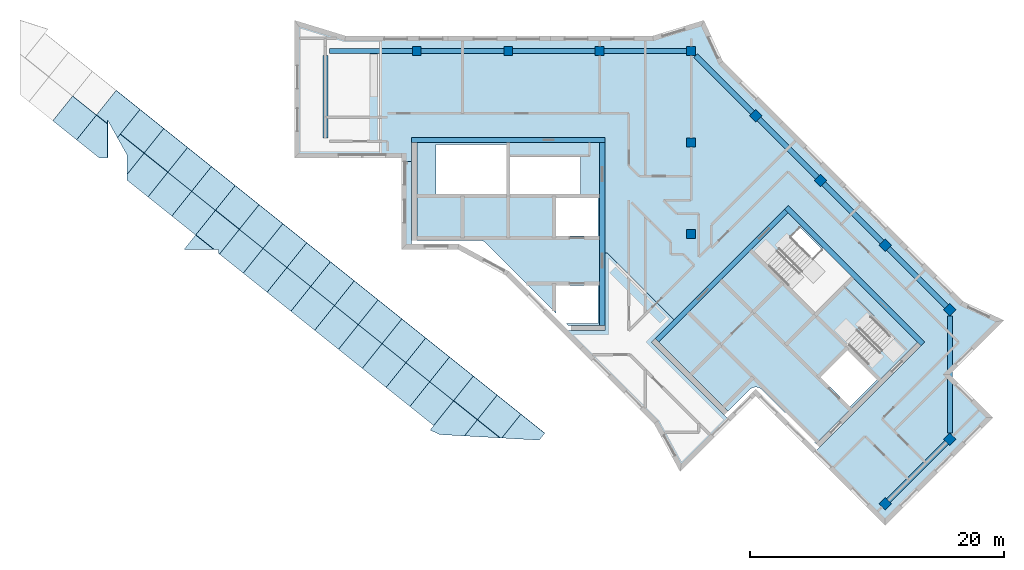
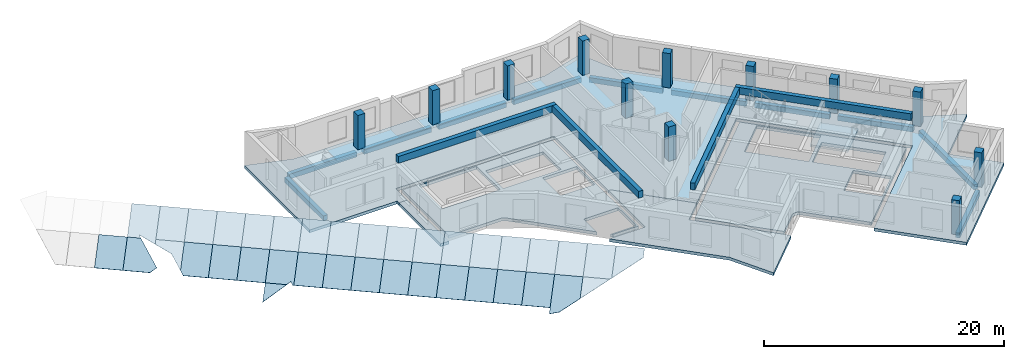
# One storey, part 1 of 8: 37 plates, 15 beams, 12 columns, 6 slabs, 6 openings, 1 element without a shape of its own.
"""IFC4 building model written with IfcOpenShell, lengths in metres."""

from ifc_helpers import new_model, si_unit, direction, frame, origin, origin_2d, place, context, subcontext, project, spatial, polyline, rectangle, outline, extrude, material, layer, layer_set, material_profile, profile_set, type_object, element, aggregate, save


model = new_model("IFC4")

# Units and contexts
model_context = context("Model", 3, precision=1e-05, world=origin(), true_north=direction((0.0, 1.0)))
body_context = subcontext(model_context, "Body", "Model", "MODEL_VIEW")
ifc_project = project(units=[si_unit("LENGTHUNIT", "METRE"), si_unit("AREAUNIT", "SQUARE_METRE"), si_unit("VOLUMEUNIT", "CUBIC_METRE"), si_unit("PLANEANGLEUNIT", "RADIAN"), si_unit("MASSUNIT", "GRAM", prefix="KILO")], contexts=[model_context])

# Site, building, storey
site_placement = place(None, origin())
site = spatial("IfcSite", under=ifc_project, at=site_placement, CompositionType="ELEMENT")
building_placement = place(site_placement, origin())
building = spatial("IfcBuilding", under=site, at=building_placement, Name="Windrow Commons", CompositionType="ELEMENT")
storey_placement = place(building_placement, frame((0.0, 0.0, 298.2)))
storey = spatial("IfcBuildingStorey", under=building, at=storey_placement, Name="L81", CompositionType="ELEMENT", Elevation=298.2)

# Columns
ifc_material_1 = material(Name="Concrete C40/50", Category="concrete")
ifc_material_profile_1 = material_profile(ifc_material_1, rectangle(XDim=0.7, YDim=0.7, at=origin_2d()))
ifc_profile_set_1 = profile_set([ifc_material_profile_1], Name="Concrete C40/50")
column_type = type_object("IfcColumnType", Name="RC COLUMN 700x700 C40/50", PredefinedType="COLUMN", material=ifc_profile_set_1)
for number, where, z_axis, x_axis, name in (
    (1, (57.6, 72.0, 0.0), (0.0, 0.0, 1.0), (1.0, 0.0, 0.0), "C-C-09J"),
    (2, (64.8, 72.0, 0.0), (0.0, 0.0, 1.0), (1.0, 0.0, 0.0), "C-C-10J"),
    (3, (72.0, 72.0, 0.0), (0.0, 0.0, 1.0), (1.0, 0.0, 0.0), "C-C-11J"),
    (4, (79.2, 57.6, 0.0), (0.0, 0.0, 1.0), (1.0, 0.0, 0.0), "C-C-12H"),
    (5, (79.2, 64.8, 0.0), (0.0, 0.0, 1.0), (1.0, 0.0, 0.0), "C-C-12I"),
    (6, (79.2, 72.0, 0.0), (0.0, 0.0, 1.0), (1.0, 0.0, 0.0), "C-C-12J"),
    (7, (84.2912, 66.9088, 0.0), (0.0, 0.0, 1.0), (0.7071067812, -0.7071067812, 0.0), "C-C-P2Q"),
    (8, (89.3823, 61.8177, 0.0), (0.0, 0.0, 1.0), (0.7071067812, -0.7071067812, 0.0), "C-C-P3Q"),
    (9, (94.4735, 56.7265, 0.0), (0.0, 0.0, 1.0), (0.7071067812, -0.7071067812, 0.0), "C-C-P4Q"),
    (10, (99.5647, 51.6353, 0.0), (0.0, 0.0, 1.0), (0.7071067812, -0.7071067812, 0.0), "C-C-P5Q"),
    (11, (99.5647, 41.453, 0.0), (0.0, 0.0, 1.0), (0.7071067812, -0.7071067812, 0.0), "C-C-P6R"),
    (12, (94.4735, 36.3618, 0.0), (0.0, 0.0, 1.0), (0.7071067812, -0.7071067812, 0.0), "C-C-P6S"),
):
    element("IfcColumn", number, at=place(storey_placement, frame(where, z_axis=z_axis, x_axis=x_axis)), inside=storey, type_object=column_type, Name=name, PredefinedType="COLUMN", context=body_context, shape_type="SweptSolid", body=[
        extrude(rectangle(XDim=0.7, YDim=0.7, at=origin_2d()), origin(), (0.0, 0.0, 1.0), 3.5),
    ])

# Beams
ifc_material_2 = material(Name="Concrete C40/50", Category="concrete")
ifc_material_profile_2 = material_profile(ifc_material_2, rectangle(XDim=0.4, YDim=0.7, at=origin_2d()))
ifc_profile_set_2 = profile_set([ifc_material_profile_2], Name="Concrete C40/50")
beam_type_1 = type_object("IfcBeamType", Name="RC COUPLING BEAM 400x700 C40/50", PredefinedType="LINTEL", material=ifc_profile_set_2)
beam_1_placement = place(storey_placement, frame((57.2, 65.0, 3.15), z_axis=(1.0, 0.0, 0.0), x_axis=(0.0, 1.0, 0.0)))
element("IfcBeam", 13, at=beam_1_placement, inside=storey, type_object=beam_type_1, Name="Core A coupling beam outer-N", PredefinedType="LINTEL", context=body_context, shape_type="SweptSolid", body=[
    extrude(rectangle(XDim=0.4, YDim=0.7, at=origin_2d()), origin(), (0.0, 0.0, 1.0), 15.2),
])
beam_2_placement = place(storey_placement, frame((72.2, 50.4, 3.15), z_axis=(0.0, 1.0, 0.0), x_axis=(-1.0, 0.0, 0.0)))
element("IfcBeam", 14, at=beam_2_placement, inside=storey, type_object=beam_type_1, Name="Core A coupling beam outer-E", PredefinedType="LINTEL", context=body_context, shape_type="SweptSolid", body=[
    extrude(rectangle(XDim=0.4, YDim=0.7, at=origin_2d()), origin(), (0.0, 0.0, 1.0), 14.4),
])
beam_3_placement = place(storey_placement, frame((86.6953, 59.6963, 3.15), z_axis=(0.7071100706, -0.7071034917, 0.0), x_axis=(0.7071034917, 0.7071100706, 0.0)))
element("IfcBeam", 15, at=beam_3_placement, inside=storey, type_object=beam_type_1, Name="Core B coupling beam outer-N", PredefinedType="LINTEL", context=body_context, shape_type="SweptSolid", body=[
    extrude(rectangle(XDim=0.4, YDim=0.7, at=origin_2d()), origin(), (0.0, 0.0, 1.0), 15.2),
])
beam_4_placement = place(storey_placement, frame((76.513, 49.2312, 3.15), z_axis=(0.7071067812, 0.7071067812, 0.0), x_axis=(-0.7071067812, 0.7071067812, 0.0)))
element("IfcBeam", 16, at=beam_4_placement, inside=storey, type_object=beam_type_1, Name="Core B coupling beam outer-W", PredefinedType="LINTEL", context=body_context, shape_type="SweptSolid", body=[
    extrude(rectangle(XDim=0.4, YDim=0.7, at=origin_2d()), origin(), (0.0, 0.0, 1.0), 14.3999),
])
ifc_material_3 = material(Name="Concrete C40/50", Category="concrete")
ifc_material_profile_3 = material_profile(ifc_material_3, rectangle(XDim=0.4, YDim=0.5, at=origin_2d()))
ifc_profile_set_3 = profile_set([ifc_material_profile_3], Name="Concrete C40/50")
beam_type_2 = type_object("IfcBeamType", Name="RC EDGE BEAM 400x500 C40/50", PredefinedType="SPANDREL", material=ifc_profile_set_3)
for number, where, z_axis, x_axis, name in (
    (17, (50.4, 65.15, -0.55), (0.0, 1.0, 0.0), (-1.0, 0.0, 0.0), "Edge beam L81 001"),
    (18, (50.75, 72.0, -0.55), (1.0, 0.0, 0.0), (0.0, 1.0, 0.0), "Edge beam L81 002"),
    (19, (57.95, 72.0, -0.55), (1.0, 0.0, 0.0), (0.0, 1.0, 0.0), "Edge beam L81 003"),
    (20, (65.15, 72.0, -0.55), (1.0, 0.0, 0.0), (0.0, 1.0, 0.0), "Edge beam L81 004"),
    (21, (72.35, 72.0, -0.55), (1.0, 0.0, 0.0), (0.0, 1.0, 0.0), "Edge beam L81 005"),
):
    element("IfcBeam", number, at=place(storey_placement, frame(where, z_axis=z_axis, x_axis=x_axis)), inside=storey, type_object=beam_type_2, Name=name, PredefinedType="SPANDREL", context=body_context, shape_type="SweptSolid", body=[
        extrude(rectangle(XDim=0.4, YDim=0.5, at=origin_2d()), origin(), (0.0, 0.0, 1.0), 6.5),
    ])
beam_5_placement = place(storey_placement, frame((79.55, 71.65, -0.55), z_axis=(0.7071067812, -0.7071067812, 0.0), x_axis=(0.7071067812, 0.7071067812, 0.0)))
element("IfcBeam", 22, at=beam_5_placement, inside=storey, type_object=beam_type_2, Name="Edge beam L81 006", PredefinedType="SPANDREL", context=body_context, shape_type="SweptSolid", body=[
    extrude(rectangle(XDim=0.4, YDim=0.5, at=origin_2d()), origin(), (0.0, 0.0, 1.0), 6.3551),
])
beam_6_placement = place(storey_placement, frame((84.5387, 66.6613, -0.55), z_axis=(0.7071067812, -0.7071067812, 0.0), x_axis=(0.7071067812, 0.7071067812, 0.0)))
element("IfcBeam", 23, at=beam_6_placement, inside=storey, type_object=beam_type_2, Name="Edge beam L81 007", PredefinedType="SPANDREL", context=body_context, shape_type="SweptSolid", body=[
    extrude(rectangle(XDim=0.4, YDim=0.5, at=origin_2d()), origin(), (0.0, 0.0, 1.0), 6.4999),
])
for number, where, z_axis, x_axis, name in (
    (24, (89.6298, 61.5702, -0.55), (0.7071067812, -0.7071067812, 0.0), (0.7071067812, 0.7071067812, 0.0), "Edge beam L81 008"),
    (25, (94.721, 56.479, -0.55), (0.7071067812, -0.7071067812, 0.0), (0.7071067812, 0.7071067812, 0.0), "Edge beam L81 009"),
):
    element("IfcBeam", number, at=place(storey_placement, frame(where, z_axis=z_axis, x_axis=x_axis)), inside=storey, type_object=beam_type_2, Name=name, PredefinedType="SPANDREL", context=body_context, shape_type="SweptSolid", body=[
        extrude(rectangle(XDim=0.4, YDim=0.5, at=origin_2d()), origin(), (0.0, 0.0, 1.0), 6.5),
    ])
beam_7_placement = place(storey_placement, frame((99.5647, 51.1403, -0.55), z_axis=(0.0, -1.0, 0.0), x_axis=(1.0, 0.0, 0.0)))
element("IfcBeam", 26, at=beam_7_placement, inside=storey, type_object=beam_type_2, Name="Edge beam L81 010", PredefinedType="SPANDREL", context=body_context, shape_type="SweptSolid", body=[
    extrude(rectangle(XDim=0.4, YDim=0.5, at=origin_2d()), origin(), (0.0, 0.0, 1.0), 9.1923),
])
beam_8_placement = place(storey_placement, frame((99.3172, 41.2055, -0.55), z_axis=(-0.7071067812, -0.7071067812, 0.0), x_axis=(0.7071067812, -0.7071067812, 0.0)))
element("IfcBeam", 27, at=beam_8_placement, inside=storey, type_object=beam_type_2, Name="Edge beam L81 011", PredefinedType="SPANDREL", context=body_context, shape_type="SweptSolid", body=[
    extrude(rectangle(XDim=0.4, YDim=0.5, at=origin_2d()), origin(), (0.0, 0.0, 1.0), 6.5),
])

# Slab, openings
ifc_material_4 = material(Name="Concrete C40/50", Category="concrete")
ifc_layer_1 = layer(ifc_material_4, 0.3)
ifc_layer_set_1 = layer_set([ifc_layer_1], Name="CORE FLOOR SLAB 300 C40/50")
slab_type_1 = type_object("IfcSlabType", Name="CORE FLOOR SLAB 300 C40/50", PredefinedType="FLOOR", material=ifc_layer_set_1)
placement = place(storey_placement, frame((0.0, 0.0, -0.3)))
slab_1 = element("IfcSlab", 28, at=placement, inside=storey, type_object=slab_type_1, Name="S-L81-core-A", PredefinedType="FLOOR", context=body_context, shape_type="SweptSolid", body=[
    extrude(outline(polyline([(57.6, 64.8), (72.0, 64.8), (72.0, 50.4), (69.5458, 50.4), (69.3958, 50.55), (71.85, 50.55), (71.85, 53.55), (68.55, 53.55), (68.55, 51.3958), (63.0509, 56.895), (63.0, 56.9411), (62.9448, 56.982), (62.8859, 57.0173), (62.8238, 57.0467), (62.7591, 57.0699), (62.6925, 57.0865), (62.6245, 57.0966), (62.5559, 57.1), (57.6, 57.1), (57.6, 64.8)]), holes=[polyline([(71.85, 57.45), (71.85, 60.45), (68.55, 60.45), (68.55, 57.45), (71.85, 57.45)]), polyline([(64.65, 60.75), (64.65, 64.65), (59.1, 64.65), (59.1, 60.75), (64.65, 60.75)]), polyline([(70.5, 60.75), (70.5, 63.705), (64.95, 63.705), (64.95, 60.75), (70.5, 60.75)])]), origin(), (0.0, 0.0, 1.0), 0.3),
])
opening_1_placement = place(placement, origin())
element("IfcOpeningElement", 29, at=opening_1_placement, cuts=slab_1, Name="Slab opening S-L81-core-A 1", PredefinedType="OPENING", context=body_context, shape_type="SweptSolid", body=[
    extrude(outline(polyline([(71.845, 57.455), (68.555, 57.455), (68.555, 60.445), (71.845, 60.445), (71.845, 57.455)])), origin(), (0.0, 0.0, 1.0), 0.3),
])
opening_2_placement = place(placement, origin())
element("IfcOpeningElement", 30, at=opening_2_placement, cuts=slab_1, Name="Slab opening S-L81-core-A 2", PredefinedType="OPENING", context=body_context, shape_type="SweptSolid", body=[
    extrude(outline(polyline([(64.645, 60.755), (59.105, 60.755), (59.105, 64.645), (64.645, 64.645), (64.645, 60.755)])), origin(), (0.0, 0.0, 1.0), 0.3),
])
opening_3_placement = place(placement, origin())
element("IfcOpeningElement", 31, at=opening_3_placement, cuts=slab_1, Name="Slab opening S-L81-core-A 3", PredefinedType="OPENING", context=body_context, shape_type="SweptSolid", body=[
    extrude(outline(polyline([(70.495, 60.755), (64.955, 60.755), (64.955, 63.7), (70.495, 63.7), (70.495, 60.755)])), origin(), (0.0, 0.0, 1.0), 0.3),
])

slab_2 = element("IfcSlab", 32, at=placement, inside=storey, type_object=slab_type_1, Name="S-L81-core-B", PredefinedType="FLOOR", context=body_context, shape_type="SweptSolid", body=[
    extrude(outline(polyline([(76.6544, 49.0897), (86.8368, 59.2721), (97.0191, 49.0897), (89.0288, 41.0994), (88.9227, 41.2055), (88.9581, 41.2409), (86.6246, 43.5743), (86.5893, 43.539), (84.7862, 45.3421), (84.7353, 45.3882), (84.6801, 45.4291), (84.6212, 45.4644), (84.5591, 45.4938), (84.4944, 45.517), (84.4278, 45.5336), (84.3598, 45.5437), (84.2912, 45.5471), (84.2226, 45.5437), (84.1546, 45.5336), (84.088, 45.517), (84.0233, 45.4938), (83.9612, 45.4644), (83.9023, 45.4291), (83.8471, 45.3882), (83.7962, 45.3421), (82.0992, 43.645), (76.6544, 49.0897)]), holes=[polyline([(91.7158, 43.9986), (93.8371, 46.1199), (91.5037, 48.4533), (89.3823, 46.332), (91.7158, 43.9986)]), polyline([(88.9581, 51.4232), (91.7158, 54.1809), (87.7913, 58.1054), (85.0336, 55.3476), (88.9581, 51.4232)]), polyline([(93.0946, 47.2866), (95.1841, 49.3761), (91.2597, 53.3006), (89.1702, 51.2111), (93.0946, 47.2866)])]), origin(), (0.0, 0.0, 1.0), 0.3),
])
opening_4_placement = place(placement, origin())
element("IfcOpeningElement", 33, at=opening_4_placement, cuts=slab_2, Name="Slab opening S-L81-core-B 1", PredefinedType="OPENING", context=body_context, shape_type="SweptSolid", body=[
    extrude(outline(polyline([(91.7158, 44.0057), (89.3894, 46.332), (91.5037, 48.4462), (93.83, 46.1199), (91.7158, 44.0057)])), origin(), (0.0, 0.0, 1.0), 0.3),
])
opening_5_placement = place(placement, origin())
element("IfcOpeningElement", 34, at=opening_5_placement, cuts=slab_2, Name="Slab opening S-L81-core-B 2", PredefinedType="OPENING", context=body_context, shape_type="SweptSolid", body=[
    extrude(outline(polyline([(88.9581, 51.4303), (85.0407, 55.3476), (87.7913, 58.0983), (91.7087, 54.1809), (88.9581, 51.4303)])), origin(), (0.0, 0.0, 1.0), 0.3),
])
opening_6_placement = place(placement, origin())
element("IfcOpeningElement", 35, at=opening_6_placement, cuts=slab_2, Name="Slab opening S-L81-core-B 3", PredefinedType="OPENING", context=body_context, shape_type="SweptSolid", body=[
    extrude(outline(polyline([(93.0946, 47.2937), (89.1773, 51.2111), (91.2597, 53.2935), (95.177, 49.3761), (93.0946, 47.2937)])), origin(), (0.0, 0.0, 1.0), 0.3),
])

# Stair, slab
ifc_material_5 = material(Name="Concrete C40/50", Category="concrete")
stair_type = type_object("IfcStairType", Name="Core stair", PredefinedType="HALF_TURN_STAIR", material=ifc_material_5)
stair_placement = place(storey_placement, origin())
stair = element("IfcStair", 36, at=stair_placement, inside=storey, type_object=stair_type, Name="L81 Exit stair B2 core B", PredefinedType="HALF_TURN_STAIR")
ifc_material_6 = material(Name="Concrete C40/50", Category="concrete")
ifc_layer_2 = layer(ifc_material_6, 0.2)
ifc_layer_set_2 = layer_set([ifc_layer_2], Name="Core stair landing")
slab_type_2 = type_object("IfcSlabType", Name="Core stair landing", PredefinedType="LANDING", material=ifc_layer_set_2)
slab_3_placement = place(storey_placement, frame((0.0, 0.0, 1.7)))
slab_3 = element("IfcSlab", 37, at=slab_3_placement, type_object=slab_type_2, Name="ST-B2 landing 1", PredefinedType="LANDING", context=body_context, shape_type="SweptSolid", body=[
    extrude(outline(polyline([(88.8874, 51.1403), (91.2208, 48.8069), (93.5931, 51.1792), (91.2597, 53.5127), (88.8874, 51.1403)])), origin(), (0.0, 0.0, 1.0), 0.2),
])
aggregate(stair, [slab_3])

# Plates
ifc_material_7 = material(Name="Laminated glass in aluminium frame", Category="aluminium")
ifc_layer_3 = layer(ifc_material_7, 0.04)
ifc_layer_set_3 = layer_set([ifc_layer_3], Name="Crown glazing panel 2400x3000")
plate_type = type_object("IfcPlateType", Name="Crown glazing panel 2400x3000", PredefinedType="SHEET", material=ifc_layer_set_3)
plate_1_placement = place(storey_placement, frame((39.2998, 56.4, 0.0602), z_axis=(-0.3493138372, -0.4366267493, 0.8290578538), x_axis=(0.5179013077, 0.6473910416, 0.5591628339)))
element("IfcPlate", 38, at=plate_1_placement, inside=storey, type_object=plate_type, Name="Crown glazing 16", PredefinedType="SHEET", context=body_context, shape_type="SweptSolid", body=[
    extrude(outline(polyline([(0.0, 0.0), (1.7353, 0.0), (1.7352, -1.7983), (0.0, 0.0)])), origin(), (0.0, 0.0, -1.0), 0.04),
])
plate_2_placement = place(storey_placement, frame((61.354, 41.7071, 1.6142), z_axis=(-0.3493194361, -0.4366615761, 0.8290371521), x_axis=(0.5178891691, 0.6473742411, 0.5591935268)))
element("IfcPlate", 39, at=plate_2_placement, inside=storey, type_object=plate_type, Name="Crown glazing 20", PredefinedType="SHEET", context=body_context, shape_type="SweptSolid", body=[
    extrude(outline(polyline([(0.0, 0.0), (1.9562, 0.0), (1.9562, -2.2767), (0.0, 0.0)])), origin(), (0.0, 0.0, -1.0), 0.04),
])
plate_3_placement = place(storey_placement, frame((58.9394, 42.5307, 1.0305), z_axis=(-0.349330801, -0.4366576763, 0.8290344174), x_axis=(-0.7808647444, 0.6247001288, 0.0)))
element("IfcPlate", 40, at=plate_3_placement, inside=storey, type_object=plate_type, Name="Crown glazing 21", PredefinedType="SHEET", context=body_context, shape_type="SweptSolid", body=[
    extrude(outline(polyline([(0.0, 0.0), (2.4, 0.0), (2.4, -3.0), (0.0, -3.0), (0.0, 0.0)])), origin(), (0.0, 0.0, -1.0), 0.04),
])
plate_4_placement = place(storey_placement, frame((57.0653, 44.03, 1.0305), z_axis=(-0.3493165936, -0.4366690422, 0.8290344173), x_axis=(-0.7808850696, 0.6246747219, 0.0)))
element("IfcPlate", 41, at=plate_4_placement, inside=storey, type_object=plate_type, Name="Crown glazing 22", PredefinedType="SHEET", context=body_context, shape_type="SweptSolid", body=[
    extrude(outline(polyline([(0.0, 0.0), (2.4, 0.0), (2.3999, -3.0), (-0.0001, -3.0), (0.0, 0.0)])), origin(), (0.0, 0.0, -1.0), 0.04),
])
for number, where, z_axis, x_axis, name in (
    (42, (55.1912, 45.5292, 1.0305), (-0.349330801, -0.4366576763, 0.8290344174), (-0.7808647444, 0.6247001288, 0.0), "Crown glazing 23"),
    (43, (53.3171, 47.0285, 1.0305), (-0.349330801, -0.4366576763, 0.8290344174), (-0.7808647444, 0.6247001288, 0.0), "Crown glazing 24"),
):
    element("IfcPlate", number, at=place(storey_placement, frame(where, z_axis=z_axis, x_axis=x_axis)), inside=storey, type_object=plate_type, Name=name, PredefinedType="SHEET", context=body_context, shape_type="SweptSolid", body=[
        extrude(outline(polyline([(0.0, 0.0), (2.4, 0.0), (2.4, -3.0), (0.0, -3.0), (0.0, 0.0)])), origin(), (0.0, 0.0, -1.0), 0.04),
    ])
plate_5_placement = place(storey_placement, frame((51.443, 48.5278, 1.0305), z_axis=(-0.3493165936, -0.4366690422, 0.8290344173), x_axis=(-0.7808850696, 0.6246747219, 0.0)))
element("IfcPlate", 44, at=plate_5_placement, inside=storey, type_object=plate_type, Name="Crown glazing 25", PredefinedType="SHEET", context=body_context, shape_type="SweptSolid", body=[
    extrude(outline(polyline([(0.0, 0.0), (2.4, 0.0), (2.3999, -3.0), (-0.0001, -3.0), (0.0, 0.0)])), origin(), (0.0, 0.0, -1.0), 0.04),
])
plate_6_placement = place(storey_placement, frame((49.5689, 50.027, 1.0305), z_axis=(-0.3493394993, -0.436656899, 0.8290311615), x_axis=(-0.780851026, 0.6247172762, 6.0337e-06)))
element("IfcPlate", 45, at=plate_6_placement, inside=storey, type_object=plate_type, Name="Crown glazing 26", PredefinedType="SHEET", context=body_context, shape_type="SweptSolid", body=[
    extrude(outline(polyline([(0.0, 0.0), (2.4, 0.0), (2.4001, -3.0), (0.0001, -3.0), (0.0, 0.0)])), origin(), (0.0, 0.0, -1.0), 0.04),
])
plate_7_placement = place(storey_placement, frame((47.6949, 51.5263, 1.0305), z_axis=(-0.3493394993, -0.436656899, 0.8290311615), x_axis=(-0.780862202, 0.6247033067, -6.0335e-06)))
element("IfcPlate", 46, at=plate_7_placement, inside=storey, type_object=plate_type, Name="Crown glazing 27", PredefinedType="SHEET", context=body_context, shape_type="SweptSolid", body=[
    extrude(outline(polyline([(0.0, 0.0), (2.4, 0.0), (2.4, -3.0), (0.0001, -3.0), (0.0, 0.0)])), origin(), (0.0, 0.0, -1.0), 0.04),
])
plate_8_placement = place(storey_placement, frame((45.8208, 53.0256, 1.0305), z_axis=(-0.3493165936, -0.4366690422, 0.8290344173), x_axis=(-0.7808850696, 0.6246747219, 0.0)))
element("IfcPlate", 47, at=plate_8_placement, inside=storey, type_object=plate_type, Name="Crown glazing 28", PredefinedType="SHEET", context=body_context, shape_type="SweptSolid", body=[
    extrude(outline(polyline([(0.0, 0.0), (2.4, 0.0), (2.3999, -3.0), (-0.0001, -3.0), (0.0, 0.0)])), origin(), (0.0, 0.0, -1.0), 0.04),
])
plate_9_placement = place(storey_placement, frame((43.9467, 54.5248, 1.0305), z_axis=(-0.349330801, -0.4366576763, 0.8290344174), x_axis=(-0.7808647444, 0.6247001288, 0.0)))
element("IfcPlate", 48, at=plate_9_placement, inside=storey, type_object=plate_type, Name="Crown glazing 29", PredefinedType="SHEET", context=body_context, shape_type="SweptSolid", body=[
    extrude(outline(polyline([(0.0, 0.0), (2.4, 0.0), (2.4, -3.0), (0.0, -3.0), (0.0, 0.0)])), origin(), (0.0, 0.0, -1.0), 0.04),
])
plate_10_placement = place(storey_placement, frame((42.0, 56.0822, 1.0305), z_axis=(-0.3493303298, -0.4366564377, 0.8290352683), x_axis=(1.07836e-05, 0.8847746355, 0.4660191457)))
element("IfcPlate", 49, at=plate_10_placement, inside=storey, type_object=plate_type, Name="Crown glazing 30", PredefinedType="SHEET", context=body_context, shape_type="SweptSolid", body=[
    extrude(outline(polyline([(0.0, 0.0), (0.3592, 0.0), (0.2812, 0.424), (1.2751, 1.9226), (3.7752, 0.2645), (2.4487, -1.7356), (-0.0514, -0.0775), (0.0, 0.0)])), origin(), (0.0, 0.0, -1.0), 0.04),
])
plate_11_placement = place(storey_placement, frame((40.1985, 57.5234, 1.0305), z_axis=(-0.3493165936, -0.4366690422, 0.8290344173), x_axis=(-0.7808850696, 0.6246747219, 0.0)))
element("IfcPlate", 50, at=plate_11_placement, inside=storey, type_object=plate_type, Name="Crown glazing 31", PredefinedType="SHEET", context=body_context, shape_type="SweptSolid", body=[
    extrude(outline(polyline([(0.0, 0.0), (2.4, 0.0), (2.3999, -3.0), (-0.0001, -3.0), (0.0, 0.0)])), origin(), (0.0, 0.0, -1.0), 0.04),
])
plate_12_placement = place(storey_placement, frame((38.3244, 59.0226, 1.0305), z_axis=(-0.349330801, -0.4366576763, 0.8290344174), x_axis=(-0.7808647444, 0.6247001288, 0.0)))
element("IfcPlate", 51, at=plate_12_placement, inside=storey, type_object=plate_type, Name="Crown glazing 32", PredefinedType="SHEET", context=body_context, shape_type="SweptSolid", body=[
    extrude(outline(polyline([(0.0, 0.0), (2.4, 0.0), (2.4, -3.0), (0.0, -3.0), (0.0, 0.0)])), origin(), (0.0, 0.0, -1.0), 0.04),
])
plate_13_placement = place(storey_placement, frame((34.8, 62.3008, 1.2721), z_axis=(-0.3493284884, -0.4366622972, 0.829032958), x_axis=(0.5178690385, 0.6473849741, 0.5591997446)))
element("IfcPlate", 52, at=plate_13_placement, inside=storey, type_object=plate_type, Name="Crown glazing 33", PredefinedType="SHEET", context=body_context, shape_type="SweptSolid", body=[
    extrude(outline(polyline([(0.0, 0.0), (2.568, 0.0), (2.5679, -2.4), (-0.4321, -2.3999), (-0.432, -0.2865), (0.0, 0.0)])), origin(), (0.0, 0.0, -1.0), 0.04),
])
plate_14_placement = place(storey_placement, frame((34.8, 62.3008, 1.2721), z_axis=(-0.3493178376, -0.436652882, 0.8290424048), x_axis=(2.098e-07, 0.8847796913, 0.4660095469)))
element("IfcPlate", 53, at=plate_14_placement, inside=storey, type_object=plate_type, Name="Crown glazing 34", PredefinedType="SHEET", context=body_context, shape_type="SweptSolid", body=[
    extrude(outline(polyline([(0.0, 0.0), (1.704, 0.0), (3.1104, 0.817), (3.4666, 0.5807), (2.1401, -1.4193), (0.0, 0.0)])), origin(), (0.0, 0.0, -1.0), 0.04),
])
plate_15_placement = place(storey_placement, frame((30.8281, 65.0197, 1.0305), z_axis=(-0.349330801, -0.4366576763, 0.8290344174), x_axis=(-0.7808647444, 0.6247001288, 0.0)))
element("IfcPlate", 54, at=plate_15_placement, inside=storey, type_object=plate_type, Name="Crown glazing 35", PredefinedType="SHEET", context=body_context, shape_type="SweptSolid", body=[
    extrude(outline(polyline([(0.0, 0.0), (2.4, 0.0), (2.4, -3.0), (0.0, -3.0), (0.0, 0.0)])), origin(), (0.0, 0.0, -1.0), 0.04),
])
plate_16_placement = place(storey_placement, frame((67.2382, 41.3785, 3.9205), z_axis=(-0.3493164639, -0.4366460224, 0.8290465965), x_axis=(-0.9297877173, 0.0519248521, -0.3644154366)))
element("IfcPlate", 55, at=plate_16_placement, inside=storey, type_object=plate_type, Name="Crown glazing 37", PredefinedType="SHEET", context=body_context, shape_type="SweptSolid", body=[
    extrude(outline(polyline([(0.0, 0.0), (3.1643, 0.0), (1.2783, -2.1951), (-0.5421, -0.631), (0.0, 0.0)])), origin(), (0.0, 0.0, -1.0), 0.04),
])
plate_17_placement = place(storey_placement, frame((64.1449, 41.5513, 2.7081), z_axis=(-0.3493268021, -0.4366574408, 0.8290362264), x_axis=(-0.7808744682, 0.624687974, -6.9102e-06)))
element("IfcPlate", 56, at=plate_17_placement, inside=storey, type_object=plate_type, Name="Crown glazing 38", PredefinedType="SHEET", context=body_context, shape_type="SweptSolid", body=[
    extrude(outline(polyline([(0.0, 0.0), (2.2767, 0.0), (2.2766, -3.0), (-0.1233, -3.0), (-0.1234, -0.106), (0.0, 0.0)])), origin(), (0.0, 0.0, -1.0), 0.04),
])
plate_18_placement = place(storey_placement, frame((62.3671, 42.9735, 2.7081), z_axis=(-0.3493394993, -0.436656899, 0.8290311615), x_axis=(-0.780851026, 0.6247172762, 6.0337e-06)))
element("IfcPlate", 57, at=plate_18_placement, inside=storey, type_object=plate_type, Name="Crown glazing 39", PredefinedType="SHEET", context=body_context, shape_type="SweptSolid", body=[
    extrude(outline(polyline([(0.0, 0.0), (2.4, 0.0), (2.4001, -3.0), (0.0001, -3.0), (0.0, 0.0)])), origin(), (0.0, 0.0, -1.0), 0.04),
])
plate_19_placement = place(storey_placement, frame((60.4931, 44.4728, 2.7081), z_axis=(-0.3493394993, -0.436656899, 0.8290311615), x_axis=(-0.780862202, 0.6247033067, -6.0335e-06)))
element("IfcPlate", 58, at=plate_19_placement, inside=storey, type_object=plate_type, Name="Crown glazing 40", PredefinedType="SHEET", context=body_context, shape_type="SweptSolid", body=[
    extrude(outline(polyline([(0.0, 0.0), (2.4, 0.0), (2.4, -3.0), (0.0001, -3.0), (0.0, 0.0)])), origin(), (0.0, 0.0, -1.0), 0.04),
])
plate_20_placement = place(storey_placement, frame((58.619, 45.9721, 2.7081), z_axis=(-0.3493165936, -0.4366690422, 0.8290344173), x_axis=(-0.7808850696, 0.6246747219, 0.0)))
element("IfcPlate", 59, at=plate_20_placement, inside=storey, type_object=plate_type, Name="Crown glazing 41", PredefinedType="SHEET", context=body_context, shape_type="SweptSolid", body=[
    extrude(outline(polyline([(0.0, 0.0), (2.4, 0.0), (2.3999, -3.0), (-0.0001, -3.0), (0.0, 0.0)])), origin(), (0.0, 0.0, -1.0), 0.04),
])
for number, where, z_axis, x_axis, name in (
    (60, (56.7449, 47.4713, 2.7081), (-0.349330801, -0.4366576763, 0.8290344174), (-0.7808647444, 0.6247001288, 0.0), "Crown glazing 42"),
    (61, (54.8708, 48.9706, 2.7081), (-0.349330801, -0.4366576763, 0.8290344174), (-0.7808647444, 0.6247001288, 0.0), "Crown glazing 43"),
):
    element("IfcPlate", number, at=place(storey_placement, frame(where, z_axis=z_axis, x_axis=x_axis)), inside=storey, type_object=plate_type, Name=name, PredefinedType="SHEET", context=body_context, shape_type="SweptSolid", body=[
        extrude(outline(polyline([(0.0, 0.0), (2.4, 0.0), (2.4, -3.0), (0.0, -3.0), (0.0, 0.0)])), origin(), (0.0, 0.0, -1.0), 0.04),
    ])
plate_21_placement = place(storey_placement, frame((52.9967, 50.4699, 2.7081), z_axis=(-0.3493165936, -0.4366690422, 0.8290344173), x_axis=(-0.7808850696, 0.6246747219, 0.0)))
element("IfcPlate", 62, at=plate_21_placement, inside=storey, type_object=plate_type, Name="Crown glazing 44", PredefinedType="SHEET", context=body_context, shape_type="SweptSolid", body=[
    extrude(outline(polyline([(0.0, 0.0), (2.4, 0.0), (2.3999, -3.0), (-0.0001, -3.0), (0.0, 0.0)])), origin(), (0.0, 0.0, -1.0), 0.04),
])
plate_22_placement = place(storey_placement, frame((51.1226, 51.9691, 2.7081), z_axis=(-0.349330801, -0.4366576763, 0.8290344174), x_axis=(-0.7808647444, 0.6247001288, 0.0)))
element("IfcPlate", 63, at=plate_22_placement, inside=storey, type_object=plate_type, Name="Crown glazing 45", PredefinedType="SHEET", context=body_context, shape_type="SweptSolid", body=[
    extrude(outline(polyline([(0.0, 0.0), (2.4, 0.0), (2.4, -3.0), (0.0, -3.0), (0.0, 0.0)])), origin(), (0.0, 0.0, -1.0), 0.04),
])
plate_23_placement = place(storey_placement, frame((49.2485, 53.4684, 2.7081), z_axis=(-0.3493394993, -0.436656899, 0.8290311615), x_axis=(-0.780851026, 0.6247172762, 6.0337e-06)))
element("IfcPlate", 64, at=plate_23_placement, inside=storey, type_object=plate_type, Name="Crown glazing 46", PredefinedType="SHEET", context=body_context, shape_type="SweptSolid", body=[
    extrude(outline(polyline([(0.0, 0.0), (2.4, 0.0), (2.4001, -3.0), (0.0001, -3.0), (0.0, 0.0)])), origin(), (0.0, 0.0, -1.0), 0.04),
])
plate_24_placement = place(storey_placement, frame((47.3745, 54.9677, 2.7081), z_axis=(-0.3493252917, -0.436668265, 0.8290311616), x_axis=(-0.7808825273, 0.6246778998, -6.0334e-06)))
element("IfcPlate", 65, at=plate_24_placement, inside=storey, type_object=plate_type, Name="Crown glazing 47", PredefinedType="SHEET", context=body_context, shape_type="SweptSolid", body=[
    extrude(outline(polyline([(0.0, 0.0), (2.4, 0.0), (2.3999, -3.0), (0.0, -3.0), (0.0, 0.0)])), origin(), (0.0, 0.0, -1.0), 0.04),
])
for number, where, z_axis, x_axis, name in (
    (66, (45.5004, 56.4669, 2.7081), (-0.349330801, -0.4366576763, 0.8290344174), (-0.7808647444, 0.6247001288, 0.0), "Crown glazing 48"),
    (67, (43.6263, 57.9662, 2.7081), (-0.349330801, -0.4366576763, 0.8290344174), (-0.7808647444, 0.6247001288, 0.0), "Crown glazing 49"),
):
    element("IfcPlate", number, at=place(storey_placement, frame(where, z_axis=z_axis, x_axis=x_axis)), inside=storey, type_object=plate_type, Name=name, PredefinedType="SHEET", context=body_context, shape_type="SweptSolid", body=[
        extrude(outline(polyline([(0.0, 0.0), (2.4, 0.0), (2.4, -3.0), (0.0, -3.0), (0.0, 0.0)])), origin(), (0.0, 0.0, -1.0), 0.04),
    ])
plate_25_placement = place(storey_placement, frame((41.7522, 59.4655, 2.7081), z_axis=(-0.3493165936, -0.4366690422, 0.8290344173), x_axis=(-0.7808850696, 0.6246747219, 0.0)))
element("IfcPlate", 68, at=plate_25_placement, inside=storey, type_object=plate_type, Name="Crown glazing 50", PredefinedType="SHEET", context=body_context, shape_type="SweptSolid", body=[
    extrude(outline(polyline([(0.0, 0.0), (2.4, 0.0), (2.3999, -3.0), (-0.0001, -3.0), (0.0, 0.0)])), origin(), (0.0, 0.0, -1.0), 0.04),
])
for number, where, z_axis, x_axis, name in (
    (69, (39.8781, 60.9647, 2.7081), (-0.349330801, -0.4366576763, 0.8290344174), (-0.7808647444, 0.6247001288, 0.0), "Crown glazing 51"),
    (70, (38.004, 62.464, 2.7081), (-0.349330801, -0.4366576763, 0.8290344174), (-0.7808647444, 0.6247001288, 0.0), "Crown glazing 52"),
):
    element("IfcPlate", number, at=place(storey_placement, frame(where, z_axis=z_axis, x_axis=x_axis)), inside=storey, type_object=plate_type, Name=name, PredefinedType="SHEET", context=body_context, shape_type="SweptSolid", body=[
        extrude(outline(polyline([(0.0, 0.0), (2.4, 0.0), (2.4, -3.0), (0.0, -3.0), (0.0, 0.0)])), origin(), (0.0, 0.0, -1.0), 0.04),
    ])
plate_26_placement = place(storey_placement, frame((36.1299, 63.9633, 2.7081), z_axis=(-0.3493286265, -0.4366578706, 0.8290352313), x_axis=(-0.7808681739, 0.624695842, -1.5084e-06)))
element("IfcPlate", 71, at=plate_26_placement, inside=storey, type_object=plate_type, Name="Crown glazing 53", PredefinedType="SHEET", context=body_context, shape_type="SweptSolid", body=[
    extrude(outline(polyline([(0.0, 0.0), (2.3999, 0.0), (2.4, -3.0), (0.0, -3.0), (0.0, 0.0)])), origin(), (0.0, 0.0, -1.0), 0.04),
])
plate_27_placement = place(storey_placement, frame((58.6508, 42.17, 0.719), z_axis=(-0.3493272309, -0.4366366984, 0.8290469705), x_axis=(0.5179118216, 0.6473686928, 0.5591789702)))
element("IfcPlate", 72, at=plate_27_placement, inside=storey, type_object=plate_type, Name="Crown glazing 338", PredefinedType="SHEET", context=body_context, shape_type="SweptSolid", body=[
    extrude(outline(polyline([(0.0, 0.0), (3.5572, 0.0), (3.5571, -2.4), (1.6009, -2.4), (0.2417, -0.8181), (0.0, 0.0)])), origin(), (0.0, 0.0, -1.0), 0.04),
])
plate_28_placement = place(storey_placement, frame((32.6027, 63.6, 1.0305), z_axis=(-0.3493312845, -0.4366590826, 0.8290334729), x_axis=(-0.7808647628, 0.6247001059, 5.844e-07)))
element("IfcPlate", 73, at=plate_28_placement, inside=storey, type_object=plate_type, Name="Crown glazing 340", PredefinedType="SHEET", context=body_context, shape_type="SweptSolid", body=[
    extrude(outline(polyline([(0.0, 0.0), (2.2726, 0.0), (2.2726, -3.0), (1.139, -3.0), (-0.5187, -0.5006), (0.0, 0.0)])), origin(), (0.0, 0.0, -1.0), 0.04),
])
plate_29_placement = place(storey_placement, frame((34.0345, 65.1858, 2.4691), z_axis=(-0.3493294711, -0.4366520239, 0.8290379549), x_axis=(-0.4706879371, 0.8468203863, 0.2476854844)))
element("IfcPlate", 74, at=plate_29_placement, inside=storey, type_object=plate_type, Name="Crown glazing 341", PredefinedType="SHEET", context=body_context, shape_type="SweptSolid", body=[
    extrude(outline(polyline([(0.0, 0.0), (1.6287, 0.0), (1.3247, 0.1777), (2.3411, 0.6798), (3.6699, -2.0098), (1.5183, -3.0728), (0.0, 0.0)])), origin(), (0.0, 0.0, -1.0), 0.04),
])

# Slabs
ifc_material_8 = material(Name="Concrete C40/50", Category="concrete")
ifc_layer_4 = layer(ifc_material_8, 0.3)
ifc_layer_set_4 = layer_set([ifc_layer_4], Name="FLOOR SLAB 300 C40/50")
slab_type_3 = type_object("IfcSlabType", Name="FLOOR SLAB 300 C40/50", PredefinedType="FLOOR", material=ifc_layer_set_4)
element("IfcSlab", 75, at=placement, inside=storey, type_object=slab_type_3, Name="S-L81-floor", PredefinedType="FLOOR", context=body_context, shape_type="SweptSolid", body=[
    extrude(outline(polyline([(51.9966, 73.2), (47.967, 74.433), (47.967, 63.6), (56.4, 63.6), (56.4, 63.3), (57.2, 63.3), (57.2, 65.2), (72.4, 65.2), (72.4, 56.1), (72.614, 56.1), (77.8565, 50.8575), (86.8368, 59.8378), (97.5848, 49.0897), (88.8167, 40.3216), (94.4735, 34.6648), (102.9588, 43.15), (99.5647, 46.5442), (103.8285, 50.808), (100.5963, 52.3008), (91.1463, 61.7508), (86.4213, 66.4758), (81.6963, 71.2008), (80.2036, 74.433), (76.174, 73.2), (51.9966, 73.2)])), origin(), (0.0, 0.0, 1.0), 0.3),
])
ifc_material_9 = material(Name="Concrete C40/50", Category="concrete")
ifc_layer_5 = layer(ifc_material_9, 0.3)
ifc_layer_set_5 = layer_set([ifc_layer_5], Name="TERRACE SLAB 300 C40/50")
slab_type_4 = type_object("IfcSlabType", Name="TERRACE SLAB 300 C40/50", PredefinedType="FLOOR", material=ifc_layer_set_5)
element("IfcSlab", 76, at=placement, inside=storey, type_object=slab_type_4, Name="Terrace slab TR-L81-2-1", PredefinedType="FLOOR", context=body_context, shape_type="SweptSolid", body=[
    extrude(outline(polyline([(56.4, 63.3), (56.4, 56.4), (57.2, 56.4), (57.2, 63.3), (56.4, 63.3)])), origin(), (0.0, 0.0, 1.0), 0.3),
])
element("IfcSlab", 77, at=placement, inside=storey, type_object=slab_type_4, Name="Terrace slab TR-L81-2-2", PredefinedType="FLOOR", context=body_context, shape_type="SweptSolid", body=[
    extrude(outline(polyline([(76.281, 42.6749), (78.3303, 38.8862), (82.3113, 42.8672), (76.0887, 49.0897), (77.8565, 50.8575), (72.614, 56.1), (72.4, 56.1), (72.4, 50.0), (68.9559, 50.0), (70.4431, 48.5128), (76.281, 42.6749)])), origin(), (0.0, 0.0, 1.0), 0.3),
])

save(model, "model.ifc")
